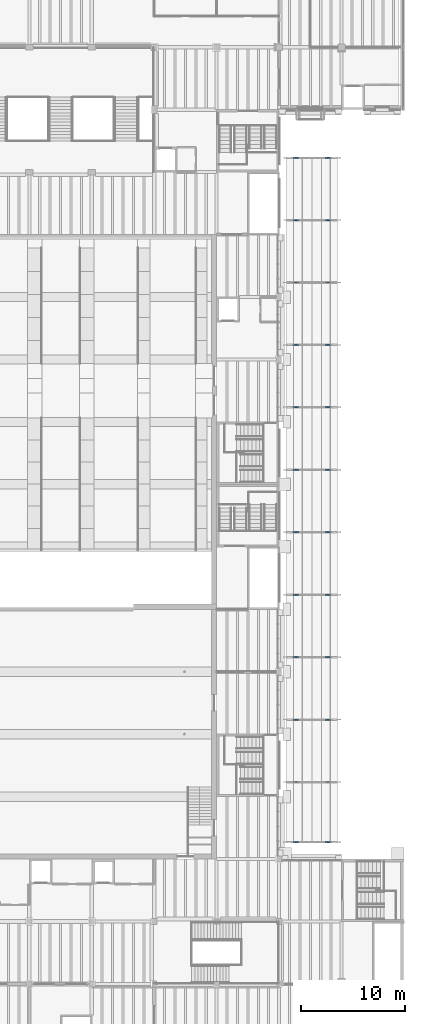
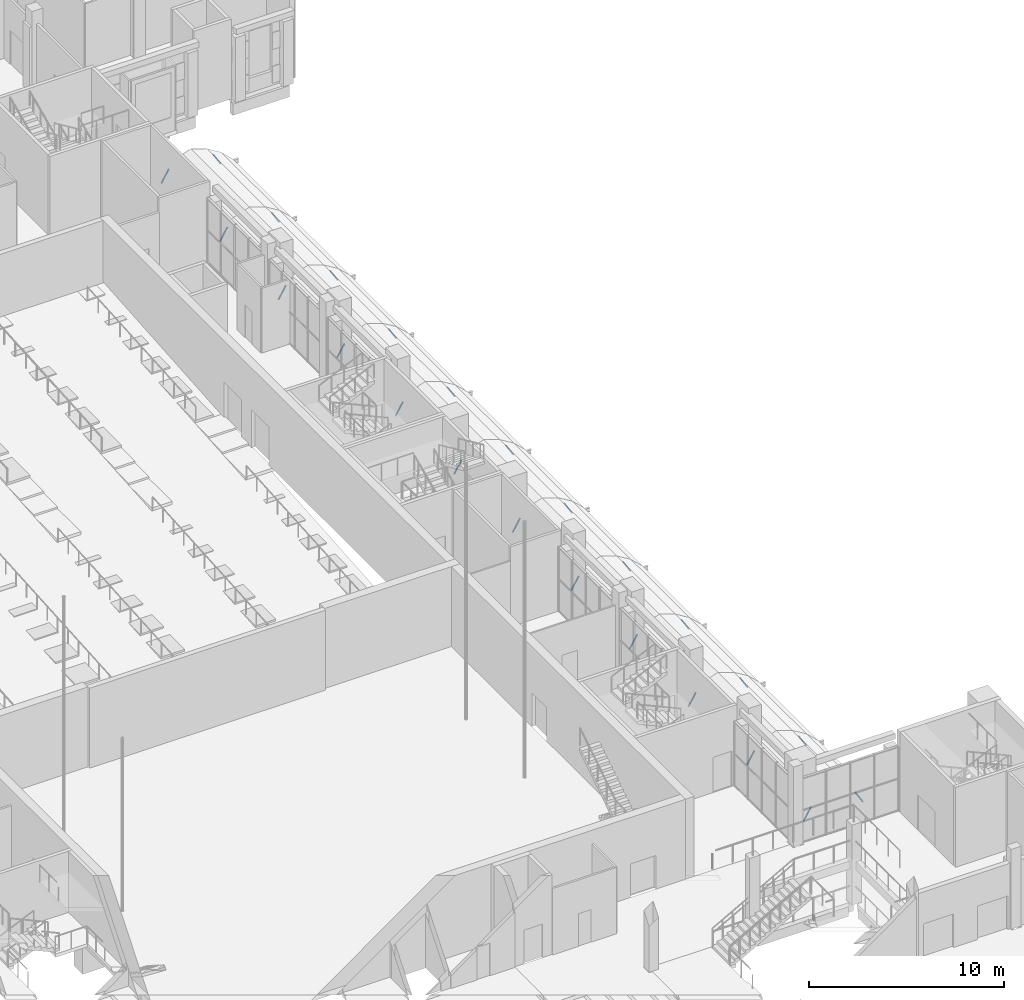
# One storey, part 28 of 80: 24 members.
"""IFC4 building model written with IfcOpenShell, lengths in metres."""

from ifc_helpers import new_model, si_unit, direction, frame, origin, origin_2d, place, context, subcontext, project, spatial, hollow_circle, extrude, material, material_profile, profile_set, type_object, element, save


model = new_model("IFC4")

# Units and contexts
model_context = context("Model", 3, precision=1e-05, world=origin(), true_north=direction((0.0, 1.0)))
body_context = subcontext(model_context, "Body", "Model", "MODEL_VIEW")
ifc_project = project(units=[si_unit("LENGTHUNIT", "METRE"), si_unit("AREAUNIT", "SQUARE_METRE"), si_unit("VOLUMEUNIT", "CUBIC_METRE"), si_unit("PLANEANGLEUNIT", "RADIAN"), si_unit("MASSUNIT", "GRAM", prefix="KILO")], contexts=[model_context])

# Site, building, storey
site_placement = place(None, origin())
site = spatial("IfcSite", under=ifc_project, at=site_placement, CompositionType="ELEMENT")
building_placement = place(site_placement, origin())
building = spatial("IfcBuilding", under=site, at=building_placement, Name="Saffron Lane Theatres", CompositionType="ELEMENT")
storey_placement = place(building_placement, frame((0.0, 0.0, 7.0)))
storey = spatial("IfcBuildingStorey", under=building, at=storey_placement, Name="L01", CompositionType="ELEMENT", Elevation=7.0)

# Members
ifc_material = material(Name="Steel Grade 350", Category="steel")
ifc_material_profile = material_profile(ifc_material, hollow_circle(Radius=0.04443359375, WallThickness=0.005859375, at=origin_2d()))
ifc_profile_set = profile_set([ifc_material_profile], Name="Steel Grade 350")
member_type = type_object("IfcMemberType", Name="ST-VAULT BRACE 88.9x5.9 CHS", PredefinedType="BRACE", material=ifc_profile_set)
for number, where, z_axis, x_axis, name in (
    (1, (55.400390625, 31.60009765625, -0.107177734375), (0.514203279702, 0.0, 0.857668343326), (0.0, 1.0, 0.0), "PS1-1"),
    (2, (58.899658203125, 31.60009765625, -0.107177734375), (-0.514203279702, 0.0, 0.857668343326), (0.0, -1.0, 0.0), "PS1-4"),
    (3, (55.400390625, 37.39990234375, -0.107177734375), (0.514203279702, 0.0, 0.857668343326), (0.0, 1.0, 0.0), "PS2-1"),
    (4, (58.899658203125, 37.39990234375, -0.107177734375), (-0.514203279702, 0.0, 0.857668343326), (0.0, -1.0, 0.0), "PS2-4"),
    (5, (55.400390625, 43.39990234375, -0.107177734375), (0.514203279702, 0.0, 0.857668343326), (0.0, 1.0, 0.0), "PS3-1"),
    (6, (58.899658203125, 43.39990234375, -0.107177734375), (-0.514203279702, 0.0, 0.857668343326), (0.0, -1.0, 0.0), "PS3-4"),
    (7, (55.400390625, 49.39990234375, -0.107177734375), (0.514203279702, 0.0, 0.857668343326), (0.0, 1.0, 0.0), "PS4-1"),
    (8, (58.899658203125, 49.39990234375, -0.107177734375), (-0.514203279702, 0.0, 0.857668343326), (0.0, -1.0, 0.0), "PS4-4"),
    (9, (55.400390625, 55.39990234375, -0.107177734375), (0.514203279702, 0.0, 0.857668343326), (0.0, 1.0, 0.0), "PS5-1"),
    (10, (58.899658203125, 55.39990234375, -0.107177734375), (-0.514203279702, 0.0, 0.857668343326), (0.0, -1.0, 0.0), "PS5-4"),
    (11, (55.400390625, 61.39990234375, -0.107177734375), (0.514203279702, 0.0, 0.857668343326), (0.0, 1.0, 0.0), "PS6-1"),
    (12, (58.899658203125, 61.39990234375, -0.107177734375), (-0.514203279702, 0.0, 0.857668343326), (0.0, -1.0, 0.0), "PS6-4"),
    (13, (55.400390625, 67.39990234375, -0.107177734375), (0.514203279702, 0.0, 0.857668343326), (0.0, 1.0, 0.0), "PS7-1"),
    (14, (58.899658203125, 67.39990234375, -0.107177734375), (-0.514203279702, 0.0, 0.857668343326), (0.0, -1.0, 0.0), "PS7-4"),
    (15, (55.400390625, 73.39990234375, -0.107177734375), (0.514203279702, 0.0, 0.857668343326), (0.0, 1.0, 0.0), "PS8-1"),
    (16, (58.899658203125, 73.39990234375, -0.107177734375), (-0.514203279702, 0.0, 0.857668343326), (0.0, -1.0, 0.0), "PS8-4"),
    (17, (55.400390625, 79.39990234375, -0.107177734375), (0.514203279702, 0.0, 0.857668343326), (0.0, 1.0, 0.0), "PS9-1"),
    (18, (58.899658203125, 79.39990234375, -0.107177734375), (-0.514203279702, 0.0, 0.857668343326), (0.0, -1.0, 0.0), "PS9-4"),
    (19, (55.400390625, 85.39990234375, -0.107177734375), (0.514203279702, 0.0, 0.857668343326), (0.0, 1.0, 0.0), "PS10-1"),
    (20, (58.899658203125, 85.39990234375, -0.107177734375), (-0.514203279702, 0.0, 0.857668343326), (0.0, -1.0, 0.0), "PS10-4"),
    (21, (55.400390625, 91.39990234375, -0.107177734375), (0.514203279702, 0.0, 0.857668343326), (0.0, 1.0, 0.0), "PS11-1"),
    (22, (58.899658203125, 91.39990234375, -0.107177734375), (-0.514203279702, 0.0, 0.857668343326), (0.0, -1.0, 0.0), "PS11-4"),
    (23, (55.400390625, 97.39990234375, -0.107177734375), (0.514203279702, 0.0, 0.857668343326), (0.0, 1.0, 0.0), "PS12-1"),
    (24, (58.899658203125, 97.39990234375, -0.107177734375), (-0.514203279702, 0.0, 0.857668343326), (0.0, -1.0, 0.0), "PS12-4"),
):
    element("IfcMember", number, at=place(storey_placement, frame(where, z_axis=z_axis, x_axis=x_axis)), inside=storey, type_object=member_type, Name=name, PredefinedType="BRACE", context=body_context, shape_type="SweptSolid", body=[
        extrude(hollow_circle(Radius=0.04443359375, WallThickness=0.005859375, at=origin_2d()), origin(), (0.0, 0.0, 1.0), 0.859375),
    ])

save(model, "model.ifc")
